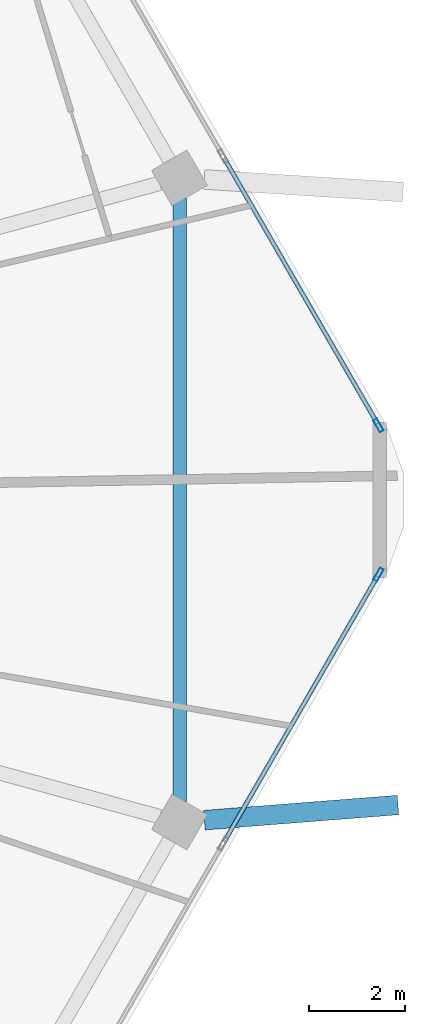
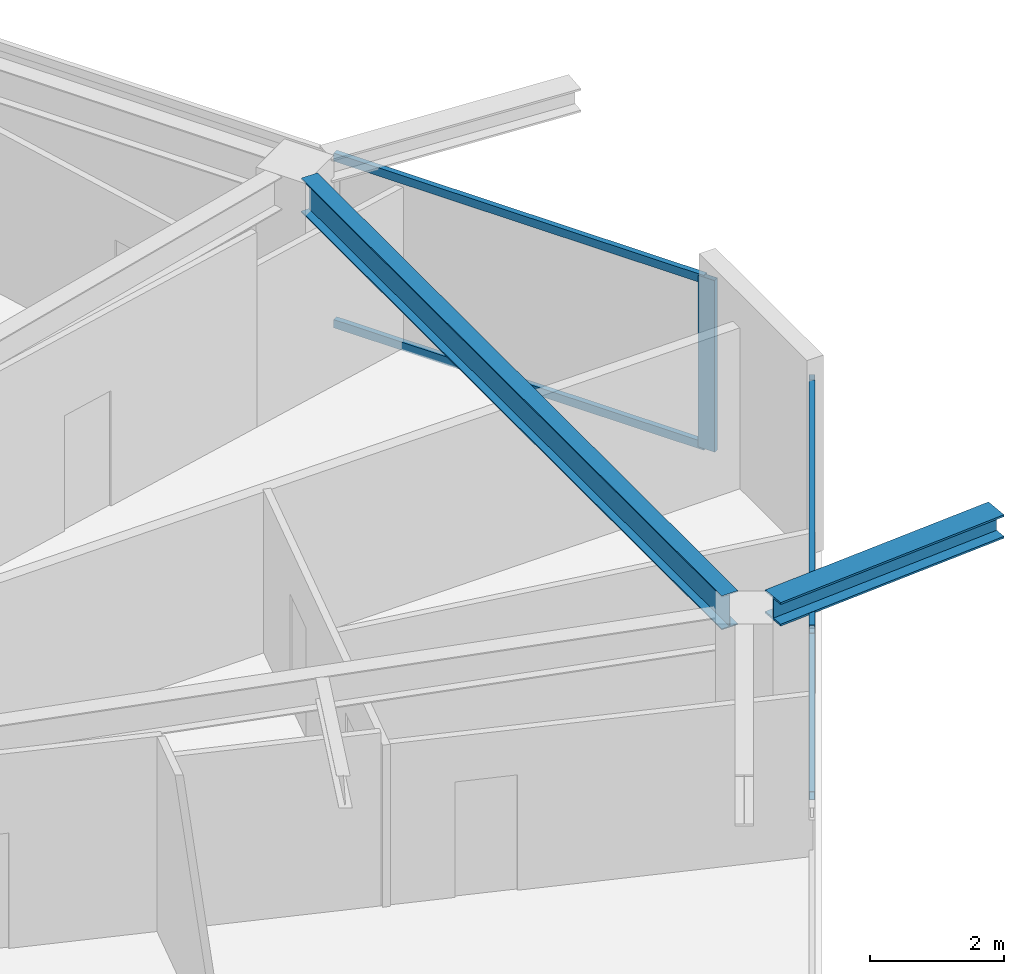
# One storey, part 10 of 26: 6 members, 2 beams, 2 elements without a shape of their own.
"""IFC4 building model written with IfcOpenShell, lengths in metres."""

from ifc_helpers import new_model, si_unit, direction, frame, origin, origin_2d, place, context, subcontext, project, spatial, hollow_rectangle, i_section, extrude, material, material_profile, profile_set, type_object, element, aggregate, save


model = new_model("IFC4")

# Units and contexts
model_context = context("Model", 3, precision=1e-05, world=origin(), true_north=direction((0.0, 1.0)))
body_context = subcontext(model_context, "Body", "Model", "MODEL_VIEW")
ifc_project = project(units=[si_unit("LENGTHUNIT", "METRE"), si_unit("AREAUNIT", "SQUARE_METRE"), si_unit("VOLUMEUNIT", "CUBIC_METRE"), si_unit("PLANEANGLEUNIT", "RADIAN"), si_unit("MASSUNIT", "GRAM", prefix="KILO")], contexts=[model_context])

# Site, building, storey
site_placement = place(None, origin())
site = spatial("IfcSite", under=ifc_project, at=site_placement, CompositionType="ELEMENT")
building_placement = place(site_placement, origin())
building = spatial("IfcBuilding", under=site, at=building_placement, Name="Zuhravey Tower", CompositionType="ELEMENT")
storey_placement = place(building_placement, frame((0.0, 0.0, 288.199951171875)))
storey = spatial("IfcBuildingStorey", under=building, at=storey_placement, Name="L73", CompositionType="ELEMENT", Elevation=288.199951171875)

# Curtain wall, member
ifc_material_1 = material(Name="Thermally broken anodised aluminium", Category="aluminium")
curtain_wall_type = type_object("IfcCurtainWallType", Name="Zone 3-4 High-Rise Curtain Wall CW4", PredefinedType="NOTDEFINED", material=ifc_material_1)
curtain_wall_1_placement = place(storey_placement, origin())
curtain_wall_1 = element("IfcCurtainWall", 1, at=curtain_wall_1_placement, inside=storey, type_object=curtain_wall_type, Name="L73 CW4 CW-L73-F6-1", PredefinedType="NOTDEFINED")
ifc_material_2 = material(Name="Anodised aluminium", Category="aluminium")
ifc_material_profile_1 = material_profile(ifc_material_2, hollow_rectangle(XDim=0.090087890625, YDim=0.284912109375, WallThickness=0.0048828125, at=origin_2d()), Name="ALU-RHS-90x285x5")
ifc_profile_set_1 = profile_set([ifc_material_profile_1], Name="Anodised aluminium")
member_type_1 = type_object("IfcMemberType", Name="Curtain-Wall Mullion 90x180", PredefinedType="MULLION", material=ifc_profile_set_1)
member_1_placement = place(storey_placement, frame((64.62255859375, 30.448486328125, 0.0), z_axis=(0.0, 0.0, 1.0), x_axis=(0.866024851021, -0.500000957414, 0.0)))
member_1 = element("IfcMember", 2, at=member_1_placement, type_object=member_type_1, Name="CW4 mullion 1", PredefinedType="MULLION", context=body_context, shape_type="SweptSolid", body=[
    extrude(hollow_rectangle(XDim=0.090087890625, YDim=0.284912109375, WallThickness=0.0048828125, at=origin_2d()), origin(), (0.0, 0.0, 1.0), 3.1220703125),
])

curtain_wall_2_placement = place(storey_placement, origin())
curtain_wall_2 = element("IfcCurtainWall", 3, at=curtain_wall_2_placement, inside=storey, type_object=curtain_wall_type, Name="L73 CW4 CW-L73-F1-1", PredefinedType="NOTDEFINED")
member_2_placement = place(storey_placement, frame((64.62255859375, 33.551513671875, 0.0), z_axis=(0.0, 0.0, 1.0), x_axis=(0.866024851021, 0.500000957414, 0.0)))
member_2 = element("IfcMember", 4, at=member_2_placement, type_object=member_type_1, Name="CW4 mullion 5", PredefinedType="MULLION", context=body_context, shape_type="SweptSolid", body=[
    extrude(hollow_rectangle(XDim=0.090087890625, YDim=0.284912109375, WallThickness=0.0048828125, at=origin_2d()), origin(), (0.0, 0.0, 1.0), 3.1220703125),
])

# Member
ifc_material_profile_2 = material_profile(ifc_material_2, hollow_rectangle(XDim=0.090087890625, YDim=0.14990234375, WallThickness=0.0048828125, at=origin_2d()), Name="ALU-RHS-90x150x5")
ifc_profile_set_2 = profile_set([ifc_material_profile_2], Name="Anodised aluminium")
member_type_2 = type_object("IfcMemberType", Name="Curtain-Wall Transom 90x150", PredefinedType="USERDEFINED", material=ifc_profile_set_2)
member_3_placement = place(storey_placement, frame((64.60009765625, 30.40966796875, 0.045166015625), z_axis=(-0.500008810174, -0.866020317169, 0.0), x_axis=(0.866020317169, -0.500008810174, 0.0)))
member_3 = element("IfcMember", 5, at=member_3_placement, type_object=member_type_2, Name="CW4 transom 1.1", ObjectType="TRANSOM", PredefinedType="USERDEFINED", context=body_context, shape_type="SweptSolid", body=[
    extrude(hollow_rectangle(XDim=0.090087890625, YDim=0.14990234375, WallThickness=0.0048828125, at=origin_2d()), origin(), (0.0, 0.0, 1.0), 6.37158203125),
])

member_4_placement = place(storey_placement, frame((64.60009765625, 30.40966796875, 3.0771484375), z_axis=(-0.500008810174, -0.866020317169, 0.0), x_axis=(0.866020317169, -0.500008810174, 0.0)))
member_4 = element("IfcMember", 6, at=member_4_placement, type_object=member_type_2, Name="CW4 transom 1.2", ObjectType="TRANSOM", PredefinedType="USERDEFINED", context=body_context, shape_type="SweptSolid", body=[
    extrude(hollow_rectangle(XDim=0.090087890625, YDim=0.14990234375, WallThickness=0.0048828125, at=origin_2d()), origin(), (0.0, 0.0, 1.0), 6.37158203125),
])

aggregate(curtain_wall_1, [member_1, member_3, member_4])

member_5_placement = place(storey_placement, frame((61.414306640625, 39.108154296875, 0.045166015625), z_axis=(0.500008810174, -0.866020317169, 0.0), x_axis=(0.866020317169, 0.500008810174, 0.0)))
member_5 = element("IfcMember", 7, at=member_5_placement, type_object=member_type_2, Name="CW4 transom 4.1", ObjectType="TRANSOM", PredefinedType="USERDEFINED", context=body_context, shape_type="SweptSolid", body=[
    extrude(hollow_rectangle(XDim=0.090087890625, YDim=0.14990234375, WallThickness=0.0048828125, at=origin_2d()), origin(), (0.0, 0.0, 1.0), 6.37158203125),
])

member_6_placement = place(storey_placement, frame((61.414306640625, 39.108154296875, 3.0771484375), z_axis=(0.500008810174, -0.866020317169, 0.0), x_axis=(0.866020317169, 0.500008810174, 0.0)))
member_6 = element("IfcMember", 8, at=member_6_placement, type_object=member_type_2, Name="CW4 transom 4.2", ObjectType="TRANSOM", PredefinedType="USERDEFINED", context=body_context, shape_type="SweptSolid", body=[
    extrude(hollow_rectangle(XDim=0.090087890625, YDim=0.14990234375, WallThickness=0.0048828125, at=origin_2d()), origin(), (0.0, 0.0, 1.0), 6.37158203125),
])

aggregate(curtain_wall_2, [member_2, member_5, member_6])

# Beams
ifc_material_3 = material(Name="Steel SM460", Category="steel")
ifc_material_profile_3 = material_profile(ifc_material_3, i_section(OverallWidth=0.406982421875, OverallDepth=0.427978515625, WebThickness=0.02001953125, FlangeThickness=0.034912109375, at=origin_2d()), Name="H-428x407x20x35")
ifc_profile_set_3 = profile_set([ifc_material_profile_3], Name="Steel SM460")
beam_type_1 = type_object("IfcBeamType", Name="Exoskeleton Node Tie Beam H428x407", PredefinedType="BEAM", material=ifc_profile_set_3)
beam_1_placement = place(storey_placement, frame((61.00244140625, 25.341552734375, 3.3359375), z_axis=(0.996959133272, 0.077926161105, 0.0), x_axis=(-0.077926161105, 0.996959133272, 0.0)))
element("IfcBeam", 9, at=beam_1_placement, inside=storey, type_object=beam_type_1, Name="L73 Exoskeleton Node Tie NT1-12", PredefinedType="BEAM", context=body_context, shape_type="SweptSolid", body=[
    extrude(i_section(OverallWidth=0.406982421875, OverallDepth=0.427978515625, WebThickness=0.02001953125, FlangeThickness=0.034912109375, at=origin_2d()), origin(), (0.0, 0.0, 1.0), 4.038330078125),
])
ifc_material_4 = material(Name="Steel SM355", Category="steel")
ifc_material_profile_4 = material_profile(ifc_material_4, i_section(OverallWidth=0.280029296875, OverallDepth=0.6201171875, WebThickness=0.011962890625, FlangeThickness=0.02001953125, at=origin_2d()), Name="H-620x280x12x20")
ifc_profile_set_4 = profile_set([ifc_material_profile_4], Name="Steel SM355")
beam_type_2 = type_object("IfcBeamType", Name="Perimeter Ring Beam H620x280", PredefinedType="BEAM", material=ifc_profile_set_4)
beam_2_placement = place(storey_placement, frame((60.484619140625, 25.72900390625, 3.239990234375), z_axis=(0.0, 1.0, 0.0), x_axis=(-1.0, 0.0, 0.0)))
element("IfcBeam", 10, at=beam_2_placement, inside=storey, type_object=beam_type_2, Name="L73 PB3 BM-L73-PB-12", PredefinedType="BEAM", context=body_context, shape_type="SweptSolid", body=[
    extrude(i_section(OverallWidth=0.280029296875, OverallDepth=0.6201171875, WebThickness=0.011962890625, FlangeThickness=0.02001953125, at=origin_2d()), origin(), (0.0, 0.0, 1.0), 12.5419921875),
])

save(model, "model.ifc")
